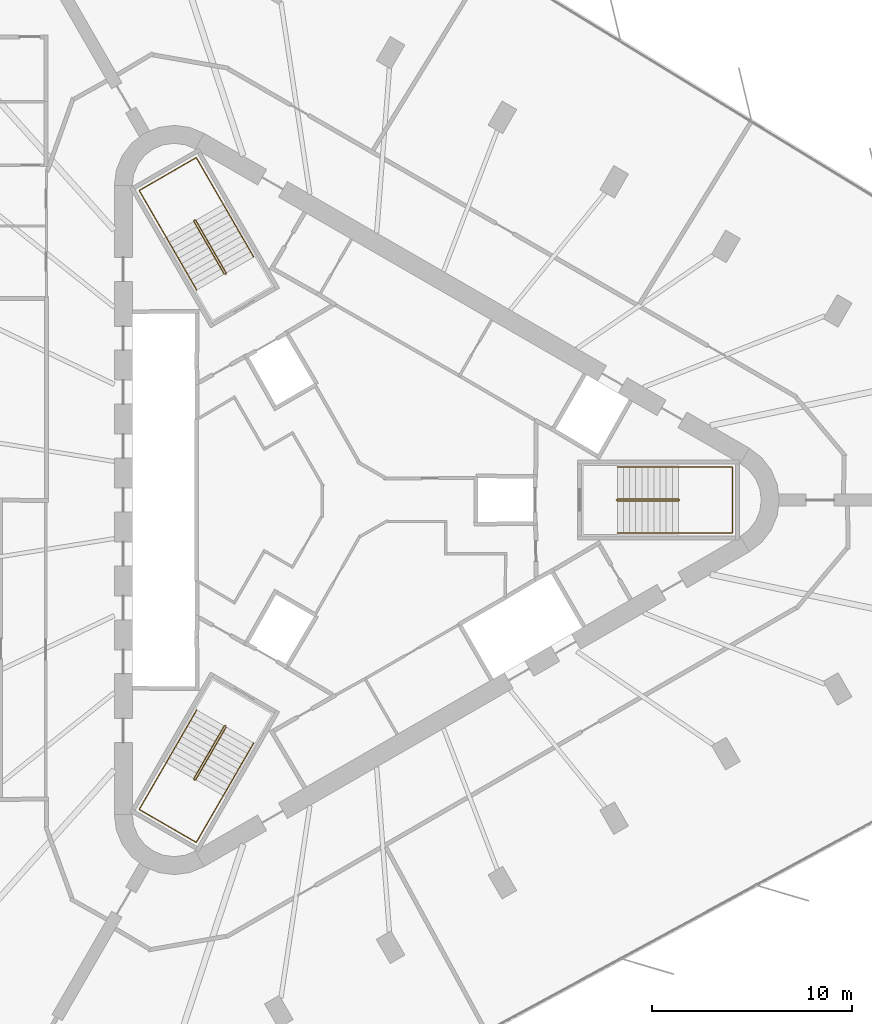
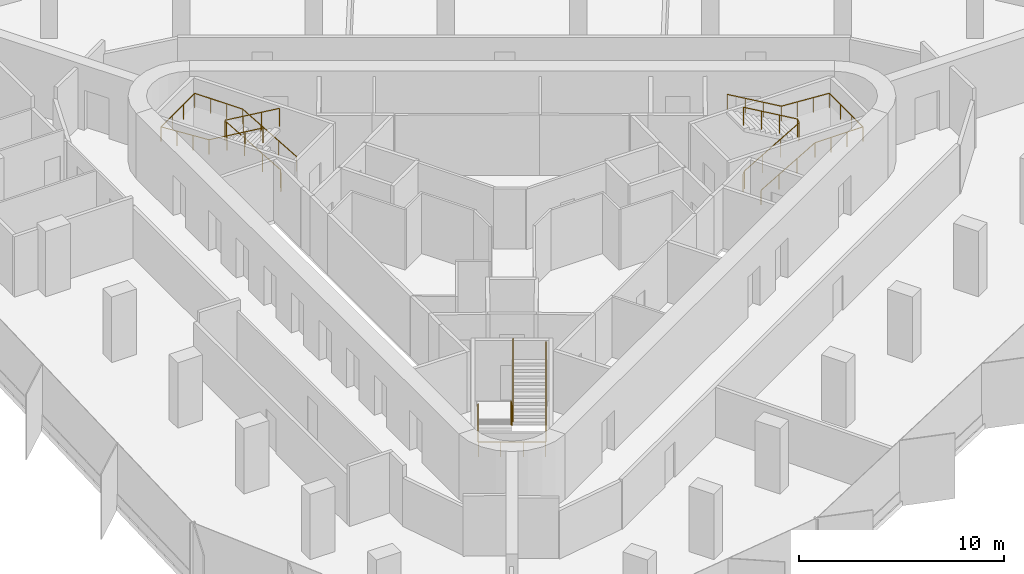
# One storey, part 13 of 13: 6 railings.
"""IFC4 building model written with IfcOpenShell, lengths in metres."""

from ifc_helpers import new_model, si_unit, direction, frame, origin, origin_2d, place, context, subcontext, project, spatial, circle, extrude, material, type_object, element, save


model = new_model("IFC4")

# Units and contexts
model_context = context("Model", 3, precision=1e-05, world=origin(), true_north=direction((0.0, 1.0)))
body_context = subcontext(model_context, "Body", "Model", "MODEL_VIEW")
ifc_project = project(units=[si_unit("LENGTHUNIT", "METRE"), si_unit("AREAUNIT", "SQUARE_METRE"), si_unit("VOLUMEUNIT", "CUBIC_METRE"), si_unit("PLANEANGLEUNIT", "RADIAN"), si_unit("MASSUNIT", "GRAM", prefix="KILO")], contexts=[model_context])

# Site, building, storey
site_placement = place(None, origin())
site = spatial("IfcSite", under=ifc_project, at=site_placement, CompositionType="ELEMENT")
building_placement = place(site_placement, origin())
building = spatial("IfcBuilding", under=site, at=building_placement, Name="Tanit Gate Tower", CompositionType="ELEMENT")
storey_placement = place(building_placement, frame((0.0, 0.0, 329.89990234375)))
storey = spatial("IfcBuildingStorey", under=building, at=storey_placement, Name="L74", CompositionType="ELEMENT", Elevation=329.89990234375)

# Railings
ifc_material_1 = material(Name="Stainless steel balustrade", Category="steel")
railing_type_1 = type_object("IfcRailingType", Name="INT-STAIR-GUARD", PredefinedType="GUARDRAIL", material=ifc_material_1)
railing_1_placement = place(storey_placement, frame((13.044921875, 0.0048828125, 0.0)))
element("IfcRailing", 1, at=railing_1_placement, inside=storey, type_object=railing_type_1, Name="L74 S1 stair guard 1", PredefinedType="GUARDRAIL", context=body_context, shape_type="SweptSolid", body=[
    extrude(circle(Radius=0.02392578125, at=origin_2d()), frame((0.0, 0.0, 1.076171875), z_axis=(0.0, -1.0, 0.0), x_axis=(1.0, 0.0, 0.0)), (0.0, 0.0, 1.0), 0.009765625),
    extrude(circle(Radius=0.02392578125, at=origin_2d()), frame((0.0, -0.009765625, 1.076171875), z_axis=(0.261922500866, -0.261922500866, 0.928866625022), x_axis=(0.707106781187, 0.707106781187, 0.0)), (0.0, 0.0, 1.0), 0.191162109375),
    extrude(circle(Radius=0.02392578125, at=origin_2d()), frame((0.050048828125, -0.059814453125, 1.25341796875), z_axis=(0.864648382064, 0.0, 0.502377522779), x_axis=(0.0, 1.0, 0.0)), (0.0, 0.0, 1.0), 3.528564453125),
    extrude(circle(Radius=0.02392578125, at=origin_2d()), frame((3.10107421875, -0.059814453125, 3.0263671875), z_axis=(0.707106781187, 0.707106781187, 0.0), x_axis=(-0.707106781187, 0.707106781187, 0.0)), (0.0, 0.0, 1.0), 0.07080078125),
    extrude(circle(Radius=0.02392578125, at=origin_2d()), frame((3.151123046875, -0.009765625, 3.0263671875), z_axis=(0.0, 1.0, 0.0), x_axis=(-1.0, 0.0, 0.0)), (0.0, 0.0, 1.0), 0.009765625),
    extrude(circle(Radius=0.02392578125, at=origin_2d()), frame((3.151123046875, 0.0, 3.0263671875), z_axis=(-0.262233686654, 0.262233686654, 0.928691007369), x_axis=(-0.707106781187, -0.707106781187, 0.0)), (0.0, 0.0, 1.0), 0.19091796875),
    extrude(circle(Radius=0.02392578125, at=origin_2d()), frame((3.10107421875, 0.050048828125, 3.20361328125), z_axis=(-0.864648382064, 0.0, 0.502377522779), x_axis=(0.0, -1.0, 0.0)), (0.0, 0.0, 1.0), 3.528564453125),
    extrude(circle(Radius=0.02099609375, at=origin_2d()), origin(), (0.0, 0.0, 1.0), 1.052001953125),
    extrude(circle(Radius=0.02099609375, at=origin_2d()), frame((0.0, -0.009765625, 0.0)), (0.0, 0.0, 1.0), 1.052001953125),
    extrude(circle(Radius=0.02099609375, at=origin_2d()), frame((0.050048828125, -0.059814453125, 0.177490234375)), (0.0, 0.0, 1.0), 1.052001953125),
    extrude(circle(Radius=0.02099609375, at=origin_2d()), frame((1.067138671875, -0.059814453125, 0.768310546875)), (0.0, 0.0, 1.0), 1.052001953125),
    extrude(circle(Radius=0.02099609375, at=origin_2d()), frame((2.083984375, -0.059814453125, 1.359375)), (0.0, 0.0, 1.0), 1.052001953125),
    extrude(circle(Radius=0.02099609375, at=origin_2d()), frame((3.10107421875, -0.059814453125, 1.9501953125)), (0.0, 0.0, 1.0), 1.052001953125),
    extrude(circle(Radius=0.02099609375, at=origin_2d()), frame((3.151123046875, -0.009765625, 1.9501953125)), (0.0, 0.0, 1.0), 1.052001953125),
    extrude(circle(Radius=0.02099609375, at=origin_2d()), frame((3.151123046875, 0.0, 1.9501953125)), (0.0, 0.0, 1.0), 1.052001953125),
    extrude(circle(Radius=0.02099609375, at=origin_2d()), frame((3.10107421875, 0.050048828125, 2.12744140625)), (0.0, 0.0, 1.0), 1.052001953125),
    extrude(circle(Radius=0.02099609375, at=origin_2d()), frame((2.083984375, 0.050048828125, 2.71826171875)), (0.0, 0.0, 1.0), 1.052001953125),
    extrude(circle(Radius=0.02099609375, at=origin_2d()), frame((1.067138671875, 0.050048828125, 3.309326171875)), (0.0, 0.0, 1.0), 1.052001953125),
    extrude(circle(Radius=0.02099609375, at=origin_2d()), frame((0.050048828125, 0.050048828125, 3.900146484375)), (0.0, 0.0, 1.0), 1.052001953125),
])
railing_2_placement = place(storey_placement, frame((-6.527099609375, 11.29345703125, 0.0)))
element("IfcRailing", 2, at=railing_2_placement, inside=storey, type_object=railing_type_1, Name="L74 S2 stair guard 1", PredefinedType="GUARDRAIL", context=body_context, shape_type="SweptSolid", body=[
    extrude(circle(Radius=0.02392578125, at=origin_2d()), frame((0.0, 0.0, 1.076171875), z_axis=(0.868243142124, 0.496138938357, 0.0), x_axis=(-0.496138938357, 0.868243142124, 0.0)), (0.0, 0.0, 1.0), 0.01171875),
    extrude(circle(Radius=0.02392578125, at=origin_2d()), frame((0.01025390625, 0.005859375, 1.076171875), z_axis=(0.095827260621, 0.357755106318, 0.928885579619), x_axis=(-0.965948051503, 0.258736085224, 0.0)), (0.0, 0.0, 1.0), 0.191162109375),
    extrude(circle(Radius=0.02392578125, at=origin_2d()), frame((0.028564453125, 0.07421875, 1.25341796875), z_axis=(-0.4322777601, 0.748681545756, 0.50260509465), x_axis=(-0.866012246495, -0.500022788402, 0.0)), (0.0, 0.0, 1.0), 3.527099609375),
    extrude(circle(Radius=0.02392578125, at=origin_2d()), frame((-1.49609375, 2.71484375, 3.0263671875), z_axis=(-0.965715946433, 0.259601060869, 0.0), x_axis=(-0.259601060869, -0.965715946433, 0.0)), (0.0, 0.0, 1.0), 0.070556640625),
    extrude(circle(Radius=0.02392578125, at=origin_2d()), frame((-1.564208984375, 2.733154296875, 3.0263671875), z_axis=(-0.873197702015, -0.487366159264, 0.0), x_axis=(0.487366159264, -0.873197702015, 0.0)), (0.0, 0.0, 1.0), 0.011962890625),
    extrude(circle(Radius=0.02392578125, at=origin_2d()), frame((-1.57470703125, 2.727294921875, 3.0263671875), z_axis=(-0.095941116058, -0.358180166617, 0.928710003441), x_axis=(0.965948051503, -0.258736085224, 0.0)), (0.0, 0.0, 1.0), 0.19091796875),
    extrude(circle(Radius=0.02392578125, at=origin_2d()), frame((-1.593017578125, 2.658935546875, 3.20361328125), z_axis=(0.4322777601, -0.748681545756, 0.50260509465), x_axis=(0.866012246495, 0.500022788402, 0.0)), (0.0, 0.0, 1.0), 3.527099609375),
    extrude(circle(Radius=0.02099609375, at=origin_2d()), origin(), (0.0, 0.0, 1.0), 1.052001953125),
    extrude(circle(Radius=0.02099609375, at=origin_2d()), frame((0.01025390625, 0.005859375, 0.0)), (0.0, 0.0, 1.0), 1.052001953125),
    extrude(circle(Radius=0.02099609375, at=origin_2d()), frame((0.028564453125, 0.07421875, 0.177490234375)), (0.0, 0.0, 1.0), 1.052001953125),
    extrude(circle(Radius=0.02099609375, at=origin_2d()), frame((-0.479736328125, 0.954345703125, 0.768310546875)), (0.0, 0.0, 1.0), 1.052001953125),
    extrude(circle(Radius=0.02099609375, at=origin_2d()), frame((-0.98779296875, 1.834716796875, 1.359375)), (0.0, 0.0, 1.0), 1.052001953125),
    extrude(circle(Radius=0.02099609375, at=origin_2d()), frame((-1.49609375, 2.71484375, 1.9501953125)), (0.0, 0.0, 1.0), 1.052001953125),
    extrude(circle(Radius=0.02099609375, at=origin_2d()), frame((-1.564208984375, 2.733154296875, 1.9501953125)), (0.0, 0.0, 1.0), 1.052001953125),
    extrude(circle(Radius=0.02099609375, at=origin_2d()), frame((-1.57470703125, 2.727294921875, 1.9501953125)), (0.0, 0.0, 1.0), 1.052001953125),
    extrude(circle(Radius=0.02099609375, at=origin_2d()), frame((-1.593017578125, 2.658935546875, 2.12744140625)), (0.0, 0.0, 1.0), 1.052001953125),
    extrude(circle(Radius=0.02099609375, at=origin_2d()), frame((-1.084716796875, 1.77880859375, 2.71826171875)), (0.0, 0.0, 1.0), 1.052001953125),
    extrude(circle(Radius=0.02099609375, at=origin_2d()), frame((-0.57666015625, 0.8984375, 3.309326171875)), (0.0, 0.0, 1.0), 1.052001953125),
    extrude(circle(Radius=0.02099609375, at=origin_2d()), frame((-0.068359375, 0.018310546875, 3.900146484375)), (0.0, 0.0, 1.0), 1.052001953125),
])
railing_3_placement = place(storey_placement, frame((-6.51806640625, -11.2998046875, 0.0)))
element("IfcRailing", 3, at=railing_3_placement, inside=storey, type_object=railing_type_1, Name="L74 S3 stair guard 1", PredefinedType="GUARDRAIL", context=body_context, shape_type="SweptSolid", body=[
    extrude(circle(Radius=0.02392578125, at=origin_2d()), frame((0.0, 0.0, 1.076171875), z_axis=(-0.874157276122, 0.485642931179, 0.0), x_axis=(-0.485642931179, -0.874157276122, 0.0)), (0.0, 0.0, 1.0), 0.010009765625),
    extrude(circle(Radius=0.02392578125, at=origin_2d()), frame((-0.0087890625, 0.0048828125, 1.076171875), z_axis=(-0.357798625124, -0.094561065211, 0.928998573091), x_axis=(0.255512919477, -0.966805641264, 0.0)), (0.0, 0.0, 1.0), 0.191162109375),
    extrude(circle(Radius=0.02392578125, at=origin_2d()), frame((-0.0771484375, -0.01318359375, 1.25341796875), z_axis=(-0.432289778901, -0.748827189027, 0.502377734411), x_axis=(0.866048339477, -0.499960272111, 0.0)), (0.0, 0.0, 1.0), 3.528564453125),
    extrude(circle(Radius=0.02392578125, at=origin_2d()), frame((-1.6025390625, -2.655517578125, 3.0263671875), z_axis=(0.258736085224, -0.965948051503, 0.0), x_axis=(0.965948051503, 0.258736085224, 0.0)), (0.0, 0.0, 1.0), 0.07080078125),
    extrude(circle(Radius=0.02392578125, at=origin_2d()), frame((-1.584228515625, -2.723876953125, 3.0263671875), z_axis=(0.868243142124, -0.496138938357, 0.0), x_axis=(0.496138938357, 0.868243142124, 0.0)), (0.0, 0.0, 1.0), 0.009765625),
    extrude(circle(Radius=0.02392578125, at=origin_2d()), frame((-1.57568359375, -2.728759765625, 3.0263671875), z_axis=(0.358180166617, 0.095941116058, 0.928710003441), x_axis=(-0.258736085224, 0.965948051503, 0.0)), (0.0, 0.0, 1.0), 0.19091796875),
    extrude(circle(Radius=0.02392578125, at=origin_2d()), frame((-1.50732421875, -2.71044921875, 3.20361328125), z_axis=(0.432368434633, 0.748774395838, 0.502388734816), x_axis=(-0.865993683553, 0.500054937028, 0.0)), (0.0, 0.0, 1.0), 3.528564453125),
    extrude(circle(Radius=0.02099609375, at=origin_2d()), origin(), (0.0, 0.0, 1.0), 1.052001953125),
    extrude(circle(Radius=0.02099609375, at=origin_2d()), frame((-0.0087890625, 0.0048828125, 0.0)), (0.0, 0.0, 1.0), 1.052001953125),
    extrude(circle(Radius=0.02099609375, at=origin_2d()), frame((-0.0771484375, -0.01318359375, 0.177490234375)), (0.0, 0.0, 1.0), 1.052001953125),
    extrude(circle(Radius=0.02099609375, at=origin_2d()), frame((-0.585693359375, -0.89404296875, 0.768310546875)), (0.0, 0.0, 1.0), 1.052001953125),
    extrude(circle(Radius=0.02099609375, at=origin_2d()), frame((-1.093994140625, -1.774658203125, 1.359375)), (0.0, 0.0, 1.0), 1.052001953125),
    extrude(circle(Radius=0.02099609375, at=origin_2d()), frame((-1.6025390625, -2.655517578125, 1.9501953125)), (0.0, 0.0, 1.0), 1.052001953125),
    extrude(circle(Radius=0.02099609375, at=origin_2d()), frame((-1.584228515625, -2.723876953125, 1.9501953125)), (0.0, 0.0, 1.0), 1.052001953125),
    extrude(circle(Radius=0.02099609375, at=origin_2d()), frame((-1.57568359375, -2.728759765625, 1.9501953125)), (0.0, 0.0, 1.0), 1.052001953125),
    extrude(circle(Radius=0.02099609375, at=origin_2d()), frame((-1.50732421875, -2.71044921875, 2.12744140625)), (0.0, 0.0, 1.0), 1.052001953125),
    extrude(circle(Radius=0.02099609375, at=origin_2d()), frame((-0.998779296875, -1.829833984375, 2.71826171875)), (0.0, 0.0, 1.0), 1.052001953125),
    extrude(circle(Radius=0.02099609375, at=origin_2d()), frame((-0.490234375, -0.948974609375, 3.309326171875)), (0.0, 0.0, 1.0), 1.052001953125),
    extrude(circle(Radius=0.02099609375, at=origin_2d()), frame((0.018310546875, -0.068359375, 3.900146484375)), (0.0, 0.0, 1.0), 1.052001953125),
])
ifc_material_2 = material(Name="Stainless steel handrail", Category="steel")
railing_type_2 = type_object("IfcRailingType", Name="INT-STAIR-HANDRAIL", PredefinedType="HANDRAIL", material=ifc_material_2)
railing_4_placement = place(storey_placement, frame((13.094970703125, -1.64990234375, 0.177490234375)))
element("IfcRailing", 4, at=railing_4_placement, inside=storey, type_object=railing_type_2, Name="L74 S1 stair handrail 1", PredefinedType="HANDRAIL", context=body_context, shape_type="SweptSolid", body=[
    extrude(circle(Radius=0.02392578125, at=origin_2d()), frame((0.0, 0.0, 0.8759765625), z_axis=(0.864648382064, 0.0, 0.502377522779), x_axis=(0.0, 1.0, 0.0)), (0.0, 0.0, 1.0), 3.528564453125),
    extrude(circle(Radius=0.02392578125, at=origin_2d()), frame((3.051025390625, 0.0, 2.6484375), z_axis=(1.0, 0.0, 0.0), x_axis=(0.0, 1.0, 0.0)), (0.0, 0.0, 1.0), 2.7041015625),
    extrude(circle(Radius=0.02392578125, at=origin_2d()), frame((5.755126953125, 0.0, 2.6484375), z_axis=(0.0, 1.0, 0.0), x_axis=(-1.0, 0.0, 0.0)), (0.0, 0.0, 1.0), 3.2998046875),
    extrude(circle(Radius=0.02392578125, at=origin_2d()), frame((5.755126953125, 3.2998046875, 2.6484375), z_axis=(-0.997858684482, 0.0, 0.065406771843), x_axis=(0.0, -1.0, 0.0)), (0.0, 0.0, 1.0), 2.7099609375),
    extrude(circle(Radius=0.02392578125, at=origin_2d()), frame((3.051025390625, 3.2998046875, 2.82568359375), z_axis=(-0.864648382064, 0.0, 0.502377522779), x_axis=(0.0, -1.0, 0.0)), (0.0, 0.0, 1.0), 3.528564453125),
    extrude(circle(Radius=0.02099609375, at=origin_2d()), origin(), (0.0, 0.0, 1.0), 0.851806640625),
    extrude(circle(Radius=0.02099609375, at=origin_2d()), frame((1.01708984375, 0.0, 0.5908203125)), (0.0, 0.0, 1.0), 0.851806640625),
    extrude(circle(Radius=0.02099609375, at=origin_2d()), frame((2.033935546875, 0.0, 1.181884765625)), (0.0, 0.0, 1.0), 0.851806640625),
    extrude(circle(Radius=0.02099609375, at=origin_2d()), frame((3.051025390625, 0.0, 1.772705078125)), (0.0, 0.0, 1.0), 0.851806640625),
    extrude(circle(Radius=0.02099609375, at=origin_2d()), frame((3.952392578125, 0.0, 1.772705078125)), (0.0, 0.0, 1.0), 0.851806640625),
    extrude(circle(Radius=0.02099609375, at=origin_2d()), frame((4.853759765625, 0.0, 1.772705078125)), (0.0, 0.0, 1.0), 0.851806640625),
    extrude(circle(Radius=0.02099609375, at=origin_2d()), frame((5.755126953125, 0.0, 1.772705078125)), (0.0, 0.0, 1.0), 0.851806640625),
    extrude(circle(Radius=0.02099609375, at=origin_2d()), frame((5.755126953125, 1.099853515625, 1.772705078125)), (0.0, 0.0, 1.0), 0.851806640625),
    extrude(circle(Radius=0.02099609375, at=origin_2d()), frame((5.755126953125, 2.199951171875, 1.772705078125)), (0.0, 0.0, 1.0), 0.851806640625),
    extrude(circle(Radius=0.02099609375, at=origin_2d()), frame((5.755126953125, 3.2998046875, 1.772705078125)), (0.0, 0.0, 1.0), 0.851806640625),
    extrude(circle(Radius=0.02099609375, at=origin_2d()), frame((4.853759765625, 3.2998046875, 1.831787109375)), (0.0, 0.0, 1.0), 0.851806640625),
    extrude(circle(Radius=0.02099609375, at=origin_2d()), frame((3.952392578125, 3.2998046875, 1.890869140625)), (0.0, 0.0, 1.0), 0.851806640625),
    extrude(circle(Radius=0.02099609375, at=origin_2d()), frame((3.051025390625, 3.2998046875, 1.949951171875)), (0.0, 0.0, 1.0), 0.851806640625),
    extrude(circle(Radius=0.02099609375, at=origin_2d()), frame((2.033935546875, 3.2998046875, 2.540771484375)), (0.0, 0.0, 1.0), 0.851806640625),
    extrude(circle(Radius=0.02099609375, at=origin_2d()), frame((1.01708984375, 3.2998046875, 3.1318359375)), (0.0, 0.0, 1.0), 0.851806640625),
    extrude(circle(Radius=0.02099609375, at=origin_2d()), frame((0.0, 3.2998046875, 3.72265625)), (0.0, 0.0, 1.0), 0.851806640625),
])
railing_5_placement = place(storey_placement, frame((-5.1181640625, 12.164794921875, 0.177490234375)))
element("IfcRailing", 5, at=railing_5_placement, inside=storey, type_object=railing_type_2, Name="L74 S2 stair handrail 1", PredefinedType="HANDRAIL", context=body_context, shape_type="SweptSolid", body=[
    extrude(circle(Radius=0.02392578125, at=origin_2d()), frame((0.0, 0.0, 0.8759765625), z_axis=(-0.432221472453, 0.748703947157, 0.502620133164), x_axis=(-0.866046917185, -0.499962735845, 0.0)), (0.0, 0.0, 1.0), 3.52685546875),
    extrude(circle(Radius=0.02392578125, at=origin_2d()), frame((-1.5244140625, 2.640625, 2.6484375), z_axis=(-0.500019123664, 0.86601436245, 0.0), x_axis=(-0.86601436245, -0.500019123664, 0.0)), (0.0, 0.0, 1.0), 2.70703125),
    extrude(circle(Radius=0.02392578125, at=origin_2d()), frame((-2.8779296875, 4.98486328125, 2.6484375), z_axis=(-0.866008176907, -0.50002983664, 0.0), x_axis=(0.50002983664, -0.866008176907, 0.0)), (0.0, 0.0, 1.0), 3.300048828125),
    extrude(circle(Radius=0.02392578125, at=origin_2d()), frame((-5.73583984375, 3.334716796875, 2.6484375), z_axis=(0.498989459885, -0.864141018102, 0.065343857842), x_axis=(0.865991810323, 0.500058181068, 0.0)), (0.0, 0.0, 1.0), 2.71240234375),
    extrude(circle(Radius=0.02392578125, at=origin_2d()), frame((-4.38232421875, 0.99072265625, 2.82568359375), z_axis=(0.432255358616, -0.748711963836, 0.502579048665), x_axis=(0.866032263162, 0.499988119021, 0.0)), (0.0, 0.0, 1.0), 3.527099609375),
    extrude(circle(Radius=0.02099609375, at=origin_2d()), origin(), (0.0, 0.0, 1.0), 0.851806640625),
    extrude(circle(Radius=0.02099609375, at=origin_2d()), frame((-0.508056640625, 0.880126953125, 0.5908203125)), (0.0, 0.0, 1.0), 0.851806640625),
    extrude(circle(Radius=0.02099609375, at=origin_2d()), frame((-1.016357421875, 1.760498046875, 1.181884765625)), (0.0, 0.0, 1.0), 0.851806640625),
    extrude(circle(Radius=0.02099609375, at=origin_2d()), frame((-1.5244140625, 2.640625, 1.772705078125)), (0.0, 0.0, 1.0), 0.851806640625),
    extrude(circle(Radius=0.02099609375, at=origin_2d()), frame((-1.9755859375, 3.422119140625, 1.772705078125)), (0.0, 0.0, 1.0), 0.851806640625),
    extrude(circle(Radius=0.02099609375, at=origin_2d()), frame((-2.4267578125, 4.203369140625, 1.772705078125)), (0.0, 0.0, 1.0), 0.851806640625),
    extrude(circle(Radius=0.02099609375, at=origin_2d()), frame((-2.8779296875, 4.98486328125, 1.772705078125)), (0.0, 0.0, 1.0), 0.851806640625),
    extrude(circle(Radius=0.02099609375, at=origin_2d()), frame((-3.83056640625, 4.434814453125, 1.772705078125)), (0.0, 0.0, 1.0), 0.851806640625),
    extrude(circle(Radius=0.02099609375, at=origin_2d()), frame((-4.783203125, 3.884765625, 1.772705078125)), (0.0, 0.0, 1.0), 0.851806640625),
    extrude(circle(Radius=0.02099609375, at=origin_2d()), frame((-5.73583984375, 3.334716796875, 1.772705078125)), (0.0, 0.0, 1.0), 0.851806640625),
    extrude(circle(Radius=0.02099609375, at=origin_2d()), frame((-5.28466796875, 2.553466796875, 1.831787109375)), (0.0, 0.0, 1.0), 0.851806640625),
    extrude(circle(Radius=0.02099609375, at=origin_2d()), frame((-4.83349609375, 1.77197265625, 1.890869140625)), (0.0, 0.0, 1.0), 0.851806640625),
    extrude(circle(Radius=0.02099609375, at=origin_2d()), frame((-4.38232421875, 0.99072265625, 1.949951171875)), (0.0, 0.0, 1.0), 0.851806640625),
    extrude(circle(Radius=0.02099609375, at=origin_2d()), frame((-3.8740234375, 0.1103515625, 2.540771484375)), (0.0, 0.0, 1.0), 0.851806640625),
    extrude(circle(Radius=0.02099609375, at=origin_2d()), frame((-3.365966796875, -0.769775390625, 3.1318359375)), (0.0, 0.0, 1.0), 0.851806640625),
    extrude(circle(Radius=0.02099609375, at=origin_2d()), frame((-2.857666015625, -1.650146484375, 3.72265625)), (0.0, 0.0, 1.0), 0.851806640625),
])
railing_6_placement = place(storey_placement, frame((-7.9765625, -10.515625, 0.177490234375)))
element("IfcRailing", 6, at=railing_6_placement, inside=storey, type_object=railing_type_2, Name="L74 S3 stair handrail 1", PredefinedType="HANDRAIL", context=body_context, shape_type="SweptSolid", body=[
    extrude(circle(Radius=0.02392578125, at=origin_2d()), frame((0.0, 0.0, 0.8759765625), z_axis=(-0.432289778901, -0.748827189027, 0.502377734411), x_axis=(0.866048339477, -0.499960272111, 0.0)), (0.0, 0.0, 1.0), 3.528564453125),
    extrude(circle(Radius=0.02392578125, at=origin_2d()), frame((-1.525390625, -2.642333984375, 2.6484375), z_axis=(-0.50004290449, -0.866000631449, 0.0), x_axis=(0.866000631449, -0.50004290449, 0.0)), (0.0, 0.0, 1.0), 2.703857421875),
    extrude(circle(Radius=0.02392578125, at=origin_2d()), frame((-2.87744140625, -4.98388671875, 2.6484375), z_axis=(0.866008176907, -0.50002983664, 0.0), x_axis=(0.50002983664, 0.866008176907, 0.0)), (0.0, 0.0, 1.0), 3.300048828125),
    extrude(circle(Radius=0.02392578125, at=origin_2d()), frame((-0.01953125, -6.634033203125, 2.6484375), z_axis=(0.498933124603, 0.864168748861, 0.065407267689), x_axis=(-0.866023205937, 0.500003806764, 0.0)), (0.0, 0.0, 1.0), 2.7099609375),
    extrude(circle(Radius=0.02392578125, at=origin_2d()), frame((1.33251953125, -4.292236328125, 2.82568359375), z_axis=(0.432289778901, 0.748827189027, 0.502377734411), x_axis=(-0.866048339477, 0.499960272111, 0.0)), (0.0, 0.0, 1.0), 3.528564453125),
    extrude(circle(Radius=0.02099609375, at=origin_2d()), origin(), (0.0, 0.0, 1.0), 0.851806640625),
    extrude(circle(Radius=0.02099609375, at=origin_2d()), frame((-0.508544921875, -0.880859375, 0.5908203125)), (0.0, 0.0, 1.0), 0.851806640625),
    extrude(circle(Radius=0.02099609375, at=origin_2d()), frame((-1.016845703125, -1.761474609375, 1.181884765625)), (0.0, 0.0, 1.0), 0.851806640625),
    extrude(circle(Radius=0.02099609375, at=origin_2d()), frame((-1.525390625, -2.642333984375, 1.772705078125)), (0.0, 0.0, 1.0), 0.851806640625),
    extrude(circle(Radius=0.02099609375, at=origin_2d()), frame((-1.97607421875, -3.4228515625, 1.772705078125)), (0.0, 0.0, 1.0), 0.851806640625),
    extrude(circle(Radius=0.02099609375, at=origin_2d()), frame((-2.4267578125, -4.203369140625, 1.772705078125)), (0.0, 0.0, 1.0), 0.851806640625),
    extrude(circle(Radius=0.02099609375, at=origin_2d()), frame((-2.87744140625, -4.98388671875, 1.772705078125)), (0.0, 0.0, 1.0), 0.851806640625),
    extrude(circle(Radius=0.02099609375, at=origin_2d()), frame((-1.9248046875, -5.533935546875, 1.772705078125)), (0.0, 0.0, 1.0), 0.851806640625),
    extrude(circle(Radius=0.02099609375, at=origin_2d()), frame((-0.97216796875, -6.083984375, 1.772705078125)), (0.0, 0.0, 1.0), 0.851806640625),
    extrude(circle(Radius=0.02099609375, at=origin_2d()), frame((-0.01953125, -6.634033203125, 1.772705078125)), (0.0, 0.0, 1.0), 0.851806640625),
    extrude(circle(Radius=0.02099609375, at=origin_2d()), frame((0.43115234375, -5.853515625, 1.831787109375)), (0.0, 0.0, 1.0), 0.851806640625),
    extrude(circle(Radius=0.02099609375, at=origin_2d()), frame((0.8818359375, -5.07275390625, 1.890869140625)), (0.0, 0.0, 1.0), 0.851806640625),
    extrude(circle(Radius=0.02099609375, at=origin_2d()), frame((1.33251953125, -4.292236328125, 1.949951171875)), (0.0, 0.0, 1.0), 0.851806640625),
    extrude(circle(Radius=0.02099609375, at=origin_2d()), frame((1.841064453125, -3.411376953125, 2.540771484375)), (0.0, 0.0, 1.0), 0.851806640625),
    extrude(circle(Radius=0.02099609375, at=origin_2d()), frame((2.349365234375, -2.53076171875, 3.1318359375)), (0.0, 0.0, 1.0), 0.851806640625),
    extrude(circle(Radius=0.02099609375, at=origin_2d()), frame((2.85791015625, -1.64990234375, 3.72265625)), (0.0, 0.0, 1.0), 0.851806640625),
])

save(model, "model.ifc")
